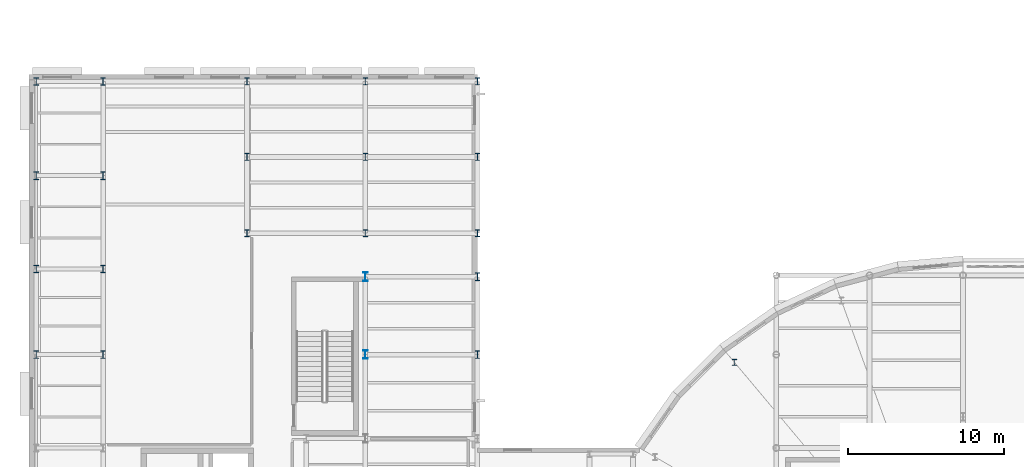
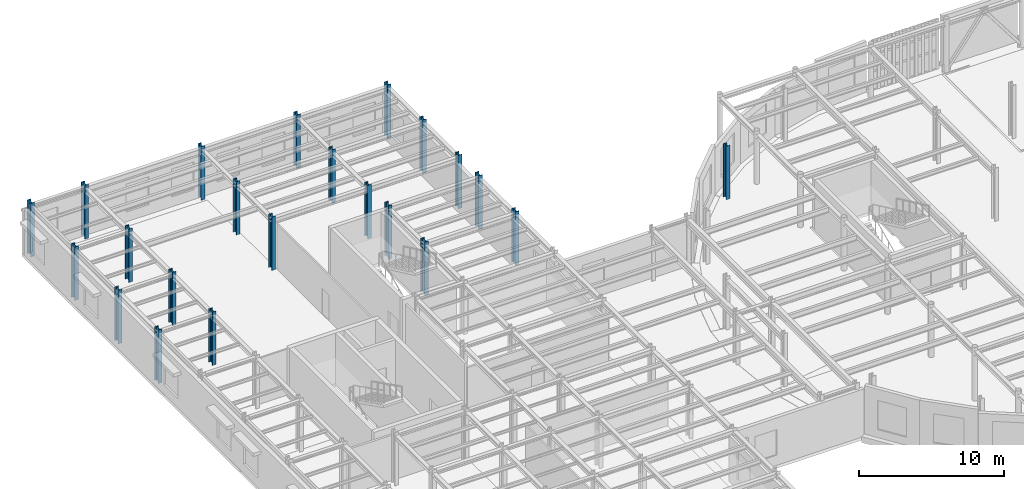
# One storey, part 9 of 91: 22 columns.
"""IFC4 building model written with IfcOpenShell, lengths in metres."""

from ifc_helpers import new_model, si_unit, direction, frame, origin, origin_2d, place, context, subcontext, project, spatial, i_section, extrude, material, material_profile, profile_set, type_object, element, save


model = new_model("IFC4")

# Units and contexts
model_context = context("Model", 3, precision=1e-05, world=origin(), true_north=direction((0.0, 1.0)))
body_context = subcontext(model_context, "Body", "Model", "MODEL_VIEW")
ifc_project = project(units=[si_unit("LENGTHUNIT", "METRE"), si_unit("AREAUNIT", "SQUARE_METRE"), si_unit("VOLUMEUNIT", "CUBIC_METRE"), si_unit("PLANEANGLEUNIT", "RADIAN"), si_unit("MASSUNIT", "GRAM", prefix="KILO")], contexts=[model_context])

# Site, building, storey
site_placement = place(None, origin())
site = spatial("IfcSite", under=ifc_project, at=site_placement, CompositionType="ELEMENT")
building_placement = place(site_placement, origin())
building = spatial("IfcBuilding", under=site, at=building_placement, Name="Kolvaren Corner Interchange", CompositionType="ELEMENT")
storey_placement = place(building_placement, frame((0.0, 0.0, 6.0)))
storey = spatial("IfcBuildingStorey", under=building, at=storey_placement, Name="L02", CompositionType="ELEMENT", Elevation=6.0)

# Columns
ifc_material_1 = material(Name="Steel S355", Category="steel")
ifc_material_profile_1 = material_profile(ifc_material_1, i_section(OverallWidth=0.300048828125, OverallDepth=0.39990234375, WebThickness=0.013427734375, FlangeThickness=0.02392578125, FilletRadius=0.027099609375, at=origin_2d()), Name="HEB 400")
ifc_profile_set_1 = profile_set([ifc_material_profile_1], Name="Steel S355")
column_type_1 = type_object("IfcColumnType", Name="COL-HEB400", PredefinedType="COLUMN", material=ifc_profile_set_1)
column_placement = place(storey_placement, frame((45.31201171875, 65.50390625, 0.0), z_axis=(0.0, 0.0, 1.0), x_axis=(1.0, 0.0, 0.0)))
element("IfcColumn", 1, at=column_placement, inside=storey, type_object=column_type_1, Name="Storey L02 Structural Column 0789", PredefinedType="COLUMN", context=body_context, shape_type="SweptSolid", body=[
    extrude(i_section(OverallWidth=0.300048828125, OverallDepth=0.39990234375, WebThickness=0.013427734375, FlangeThickness=0.02392578125, FilletRadius=0.027099609375, at=origin_2d()), origin(), (0.0, 0.0, 1.0), 4.5),
])
ifc_material_2 = material(Name="Steel S355", Category="steel")
ifc_material_profile_2 = material_profile(ifc_material_2, i_section(OverallWidth=0.300048828125, OverallDepth=0.449951171875, WebThickness=0.013916015625, FlangeThickness=0.02587890625, FilletRadius=0.027099609375, at=origin_2d()), Name="HEB 450")
ifc_profile_set_2 = profile_set([ifc_material_profile_2], Name="Steel S355")
column_type_2 = type_object("IfcColumnType", Name="COL-HEB450", PredefinedType="COLUMN", material=ifc_profile_set_2)
for number, where, z_axis, x_axis, name in (
    (2, (14.0, 73.800048828125, 0.0), (0.0, 0.0, 1.0), (1.0, 0.0, 0.0), "Storey L02 Structural Column 0419"),
    (3, (14.0, 78.699951171875, 0.0), (0.0, 0.0, 1.0), (1.0, 0.0, 0.0), "Storey L02 Structural Column 0422"),
    (4, (14.0, 83.550048828125, 0.0), (0.0, 0.0, 1.0), (1.0, 0.0, 0.0), "Storey L02 Structural Column 0425"),
    (5, (21.60009765625, 73.800048828125, 0.0), (0.0, 0.0, 1.0), (1.0, 0.0, 0.0), "Storey L02 Structural Column 0428"),
    (6, (21.60009765625, 78.699951171875, 0.0), (0.0, 0.0, 1.0), (1.0, 0.0, 0.0), "Storey L02 Structural Column 0431"),
    (7, (21.60009765625, 83.550048828125, 0.0), (0.0, 0.0, 1.0), (1.0, 0.0, 0.0), "Storey L02 Structural Column 0434"),
    (8, (28.800048828125, 73.800048828125, 0.0), (0.0, 0.0, 1.0), (1.0, 0.0, 0.0), "Storey L02 Structural Column 0437"),
    (9, (28.800048828125, 78.699951171875, 0.0), (0.0, 0.0, 1.0), (1.0, 0.0, 0.0), "Storey L02 Structural Column 0440"),
    (10, (28.800048828125, 83.550048828125, 0.0), (0.0, 0.0, 1.0), (1.0, 0.0, 0.0), "Storey L02 Structural Column 0443"),
):
    element("IfcColumn", number, at=place(storey_placement, frame(where, z_axis=z_axis, x_axis=x_axis)), inside=storey, type_object=column_type_2, Name=name, PredefinedType="COLUMN", context=body_context, shape_type="SweptSolid", body=[
        extrude(i_section(OverallWidth=0.300048828125, OverallDepth=0.449951171875, WebThickness=0.013916015625, FlangeThickness=0.02587890625, FilletRadius=0.027099609375, at=origin_2d()), origin(), (0.0, 0.0, 1.0), 4.5),
    ])
ifc_material_3 = material(Name="Steel S355", Category="steel")
ifc_material_profile_3 = material_profile(ifc_material_3, i_section(OverallWidth=0.300048828125, OverallDepth=0.5, WebThickness=0.014404296875, FlangeThickness=0.028076171875, FilletRadius=0.027099609375, at=origin_2d()), Name="HEB 500")
ifc_profile_set_3 = profile_set([ifc_material_profile_3], Name="Steel S355")
column_type_3 = type_object("IfcColumnType", Name="COL-HEB500", PredefinedType="COLUMN", material=ifc_profile_set_3)
for number, where, z_axis, x_axis, name in (
    (11, (0.449951171875, 66.0, 0.0), (0.0, 0.0, 1.0), (1.0, 0.0, 0.0), "Storey L02 Structural Column 0056"),
    (12, (0.449951171875, 71.5, 0.0), (0.0, 0.0, 1.0), (1.0, 0.0, 0.0), "Storey L02 Structural Column 0060"),
    (13, (0.449951171875, 77.5, 0.0), (0.0, 0.0, 1.0), (1.0, 0.0, 0.0), "Storey L02 Structural Column 0064"),
    (14, (0.449951171875, 83.550048828125, 0.0), (0.0, 0.0, 1.0), (1.0, 0.0, 0.0), "Storey L02 Structural Column 0067"),
    (15, (4.75, 66.0, 0.0), (0.0, 0.0, 1.0), (1.0, 0.0, 0.0), "Storey L02 Structural Column 0124"),
    (16, (4.75, 71.5, 0.0), (0.0, 0.0, 1.0), (1.0, 0.0, 0.0), "Storey L02 Structural Column 0128"),
    (17, (4.75, 77.5, 0.0), (0.0, 0.0, 1.0), (1.0, 0.0, 0.0), "Storey L02 Structural Column 0132"),
    (18, (4.75, 83.550048828125, 0.0), (0.0, 0.0, 1.0), (1.0, 0.0, 0.0), "Storey L02 Structural Column 0135"),
    (19, (28.800048828125, 66.0, 0.0), (0.0, 0.0, 1.0), (1.0, 0.0, 0.0), "Storey L02 Structural Column 0412"),
    (20, (28.800048828125, 71.0, 0.0), (0.0, 0.0, 1.0), (1.0, 0.0, 0.0), "Storey L02 Structural Column 0416"),
):
    element("IfcColumn", number, at=place(storey_placement, frame(where, z_axis=z_axis, x_axis=x_axis)), inside=storey, type_object=column_type_3, Name=name, PredefinedType="COLUMN", context=body_context, shape_type="SweptSolid", body=[
        extrude(i_section(OverallWidth=0.300048828125, OverallDepth=0.5, WebThickness=0.014404296875, FlangeThickness=0.028076171875, FilletRadius=0.027099609375, at=origin_2d()), origin(), (0.0, 0.0, 1.0), 4.5),
    ])
ifc_material_4 = material(Name="Steel S355", Category="steel")
ifc_material_profile_4 = material_profile(ifc_material_4, i_section(OverallWidth=0.300048828125, OverallDepth=0.550048828125, WebThickness=0.014892578125, FlangeThickness=0.029052734375, FilletRadius=0.027099609375, at=origin_2d()), Name="HEB 550")
ifc_profile_set_4 = profile_set([ifc_material_profile_4], Name="Steel S355")
column_type_4 = type_object("IfcColumnType", Name="COL-HEB550", PredefinedType="COLUMN", material=ifc_profile_set_4)
for number, where, z_axis, x_axis, name in (
    (21, (21.60009765625, 66.0, 0.0), (0.0, 0.0, 1.0), (1.0, 0.0, 0.0), "Storey L02 Structural Column 0374"),
    (22, (21.60009765625, 71.0, 0.0), (0.0, 0.0, 1.0), (1.0, 0.0, 0.0), "Storey L02 Structural Column 0379"),
):
    element("IfcColumn", number, at=place(storey_placement, frame(where, z_axis=z_axis, x_axis=x_axis)), inside=storey, type_object=column_type_4, Name=name, PredefinedType="COLUMN", context=body_context, shape_type="SweptSolid", body=[
        extrude(i_section(OverallWidth=0.300048828125, OverallDepth=0.550048828125, WebThickness=0.014892578125, FlangeThickness=0.029052734375, FilletRadius=0.027099609375, at=origin_2d()), origin(), (0.0, 0.0, 1.0), 4.5),
    ])

save(model, "model.ifc")
